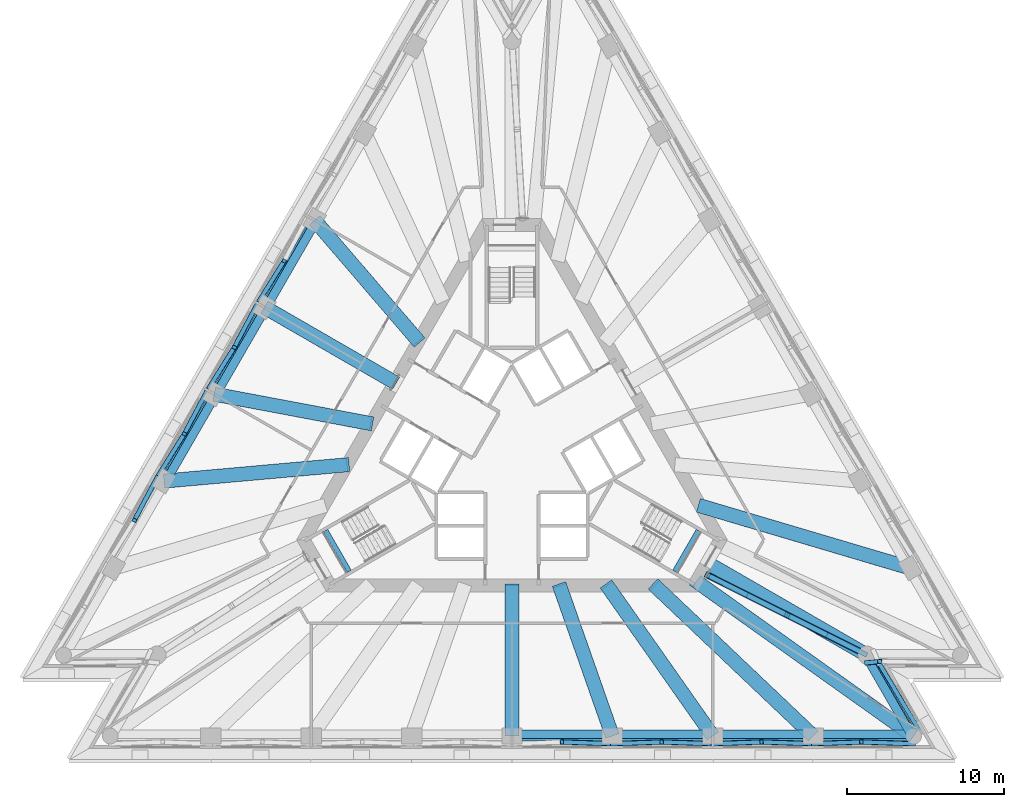
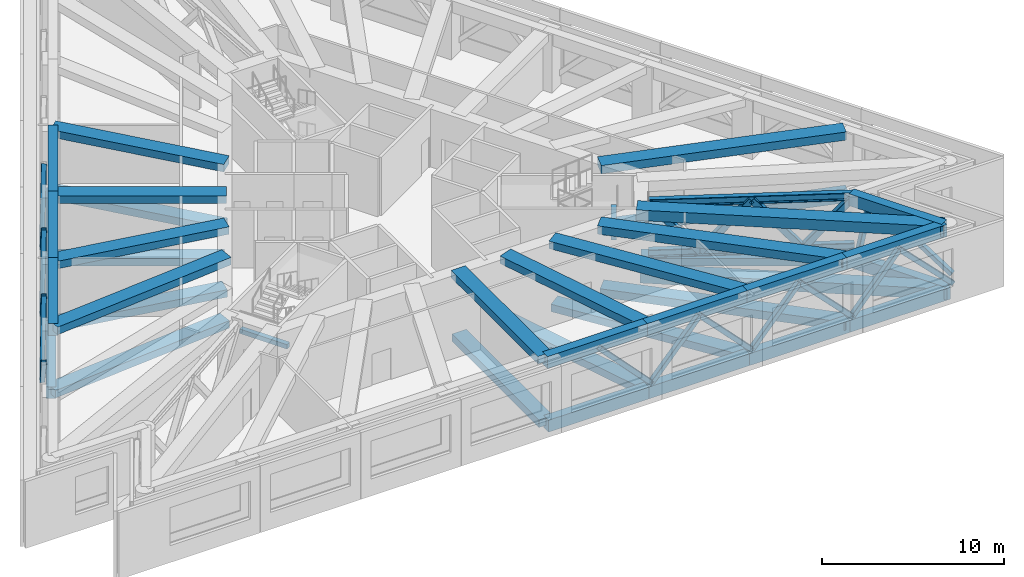
# One storey, part 2 of 13: 39 beams, 21 members.
"""IFC4 building model written with IfcOpenShell, lengths in metres."""

from ifc_helpers import new_model, si_unit, direction, frame, origin, origin_2d, place, context, subcontext, project, spatial, rectangle, hollow_rectangle, i_section, extrude, material, material_profile, profile_set, type_object, element, save


model = new_model("IFC4")

# Units and contexts
model_context = context("Model", 3, precision=1e-05, world=origin(), true_north=direction((0.0, 1.0)))
body_context = subcontext(model_context, "Body", "Model", "MODEL_VIEW")
ifc_project = project(units=[si_unit("LENGTHUNIT", "METRE"), si_unit("AREAUNIT", "SQUARE_METRE"), si_unit("VOLUMEUNIT", "CUBIC_METRE"), si_unit("PLANEANGLEUNIT", "RADIAN"), si_unit("MASSUNIT", "GRAM", prefix="KILO")], contexts=[model_context])

# Site, building, storey
site_placement = place(None, origin())
site = spatial("IfcSite", under=ifc_project, at=site_placement, CompositionType="ELEMENT")
building_placement = place(site_placement, origin())
building = spatial("IfcBuilding", under=site, at=building_placement, Name="Triada Interchange Tower", CompositionType="ELEMENT")
storey_placement = place(building_placement, frame((0.0, 0.0, 176.300048828125)))
storey = spatial("IfcBuildingStorey", under=building, at=storey_placement, Name="L41", CompositionType="ELEMENT", Elevation=176.300048828125)

# Members
ifc_material_1 = material(Name="Steel S355", Category="steel")
ifc_material_profile_1 = material_profile(ifc_material_1, hollow_rectangle(XDim=0.300048828125, YDim=0.300048828125, WallThickness=0.01611328125, InnerFilletRadius=0.01611328125, OuterFilletRadius=0.02392578125, at=origin_2d()), Name="RHS 300x300x16")
ifc_profile_set_1 = profile_set([ifc_material_profile_1], Name="Steel S355")
member_type_1 = type_object("IfcMemberType", Name="Belt truss diagonal RHS 300x300x16", PredefinedType="BRACE", material=ifc_profile_set_1)
member_1_placement = place(storey_placement, frame((-16.152099609375, 9.324951171875, 0.14990234375), z_axis=(0.3641515854, 0.583266917447, 0.72608079844), x_axis=(-0.84825327484, 0.529590768162, 0.0)))
element("IfcMember", 1, at=member_1_placement, inside=storey, type_object=member_type_1, Name="Belt truss diagonal 008 L41", PredefinedType="BRACE", context=body_context, shape_type="SweptSolid", body=[
    extrude(hollow_rectangle(XDim=0.300048828125, YDim=0.300048828125, WallThickness=0.01611328125, InnerFilletRadius=0.01611328125, OuterFilletRadius=0.02392578125, at=origin_2d()), origin(), (0.0, 0.0, 1.0), 4.614013671875),
])
member_2_placement = place(storey_placement, frame((-16.152099609375, 9.324951171875, 0.14990234375), z_axis=(-0.32282165539, -0.606845430243, 0.726309026933), x_axis=(0.882853368379, -0.469648730374, 0.0)))
element("IfcMember", 2, at=member_2_placement, inside=storey, type_object=member_type_1, Name="Belt truss diagonal 009 L41", PredefinedType="BRACE", context=body_context, shape_type="SweptSolid", body=[
    extrude(hollow_rectangle(XDim=0.300048828125, YDim=0.300048828125, WallThickness=0.01611328125, InnerFilletRadius=0.01611328125, OuterFilletRadius=0.02392578125, at=origin_2d()), origin(), (0.0, 0.0, 1.0), 4.612548828125),
])
member_3_placement = place(storey_placement, frame((-19.341064453125, 3.802001953125, 0.14990234375), z_axis=(0.366344166388, 0.587002996465, 0.721955285246), x_axis=(-0.848344134082, 0.529445209789, 0.0)))
element("IfcMember", 3, at=member_3_placement, inside=storey, type_object=member_type_1, Name="Belt truss diagonal 010 L41", PredefinedType="BRACE", context=body_context, shape_type="SweptSolid", body=[
    extrude(hollow_rectangle(XDim=0.300048828125, YDim=0.300048828125, WallThickness=0.01611328125, InnerFilletRadius=0.01611328125, OuterFilletRadius=0.02392578125, at=origin_2d()), origin(), (0.0, 0.0, 1.0), 4.640380859375),
])
member_4_placement = place(storey_placement, frame((-19.341064453125, 3.802001953125, 0.14990234375), z_axis=(-0.320504254674, -0.603107989612, 0.730436701982), x_axis=(0.883053146408, -0.469272991573, 0.0)))
element("IfcMember", 4, at=member_4_placement, inside=storey, type_object=member_type_1, Name="Belt truss diagonal 011 L41", PredefinedType="BRACE", context=body_context, shape_type="SweptSolid", body=[
    extrude(hollow_rectangle(XDim=0.300048828125, YDim=0.300048828125, WallThickness=0.01611328125, InnerFilletRadius=0.01611328125, OuterFilletRadius=0.02392578125, at=origin_2d()), origin(), (0.0, 0.0, 1.0), 4.58642578125),
])
member_5_placement = place(storey_placement, frame((-22.530029296875, -1.721923828125, 0.14990234375), z_axis=(0.368306446842, 0.59088050327, 0.717781716171), x_axis=(-0.848639220197, 0.528972091838, 0.0)))
element("IfcMember", 5, at=member_5_placement, inside=storey, type_object=member_type_1, Name="Belt truss diagonal 012 L41", PredefinedType="BRACE", context=body_context, shape_type="SweptSolid", body=[
    extrude(hollow_rectangle(XDim=0.300048828125, YDim=0.300048828125, WallThickness=0.01611328125, InnerFilletRadius=0.01611328125, OuterFilletRadius=0.02392578125, at=origin_2d()), origin(), (0.0, 0.0, 1.0), 4.667236328125),
])
member_6_placement = place(storey_placement, frame((-22.530029296875, -1.721923828125, 0.14990234375), z_axis=(-0.31818942032, -0.59916840027, 0.734678651462), x_axis=(0.883188257148, -0.469018658943, 0.0)))
element("IfcMember", 6, at=member_6_placement, inside=storey, type_object=member_type_1, Name="Belt truss diagonal 013 L41", PredefinedType="BRACE", context=body_context, shape_type="SweptSolid", body=[
    extrude(hollow_rectangle(XDim=0.300048828125, YDim=0.300048828125, WallThickness=0.01611328125, InnerFilletRadius=0.01611328125, OuterFilletRadius=0.02392578125, at=origin_2d()), origin(), (0.0, 0.0, 1.0), 4.56005859375),
])
member_7_placement = place(storey_placement, frame((6.3779296875, -18.65087890625, 0.14990234375), z_axis=(-0.691430158414, 0.023679115014, 0.722055147165), x_axis=(-0.03422651032, -0.999414101357, 0.0)))
element("IfcMember", 7, at=member_7_placement, inside=storey, type_object=member_type_1, Name="Belt truss diagonal 030 L41", PredefinedType="BRACE", context=body_context, shape_type="SweptSolid", body=[
    extrude(hollow_rectangle(XDim=0.300048828125, YDim=0.300048828125, WallThickness=0.01611328125, InnerFilletRadius=0.01611328125, OuterFilletRadius=0.02392578125, at=origin_2d()), origin(), (0.0, 0.0, 1.0), 4.6396484375),
])
member_8_placement = place(storey_placement, frame((6.3779296875, -18.65087890625, 0.14990234375), z_axis=(0.682628684295, 0.023951883659, 0.730372772389), x_axis=(-0.035066140133, 0.999384993792, 0.0)))
element("IfcMember", 8, at=member_8_placement, inside=storey, type_object=member_type_1, Name="Belt truss diagonal 031 L41", PredefinedType="BRACE", context=body_context, shape_type="SweptSolid", body=[
    extrude(hollow_rectangle(XDim=0.300048828125, YDim=0.300048828125, WallThickness=0.01611328125, InnerFilletRadius=0.01611328125, OuterFilletRadius=0.02392578125, at=origin_2d()), origin(), (0.0, 0.0, 1.0), 4.5869140625),
])
member_9_placement = place(storey_placement, frame((12.756103515625, -18.65087890625, 0.14990234375), z_axis=(-0.695786211157, 0.023541638723, 0.717863036804), x_axis=(-0.033815236512, -0.999428101356, 0.0)))
element("IfcMember", 9, at=member_9_placement, inside=storey, type_object=member_type_1, Name="Belt truss diagonal 032 L41", PredefinedType="BRACE", context=body_context, shape_type="SweptSolid", body=[
    extrude(hollow_rectangle(XDim=0.300048828125, YDim=0.300048828125, WallThickness=0.01611328125, InnerFilletRadius=0.01611328125, OuterFilletRadius=0.02392578125, at=origin_2d()), origin(), (0.0, 0.0, 1.0), 4.666748046875),
])
member_10_placement = place(storey_placement, frame((12.756103515625, -18.65087890625, 0.14990234375), z_axis=(0.678012063542, 0.024092342751, 0.734655838276), x_axis=(-0.035511384424, 0.999369271879, 0.0)))
element("IfcMember", 10, at=member_10_placement, inside=storey, type_object=member_type_1, Name="Belt truss diagonal 033 L41", PredefinedType="BRACE", context=body_context, shape_type="SweptSolid", body=[
    extrude(hollow_rectangle(XDim=0.300048828125, YDim=0.300048828125, WallThickness=0.01611328125, InnerFilletRadius=0.01611328125, OuterFilletRadius=0.02392578125, at=origin_2d()), origin(), (0.0, 0.0, 1.0), 4.56005859375),
])
member_11_placement = place(storey_placement, frame((19.135009765625, -18.65087890625, 0.14990234375), z_axis=(-0.700172876806, 0.023401499893, 0.713589736745), x_axis=(-0.033403808058, -0.999441937087, 0.0)))
element("IfcMember", 11, at=member_11_placement, inside=storey, type_object=member_type_1, Name="Belt truss diagonal 034 L41", PredefinedType="BRACE", context=body_context, shape_type="SweptSolid", body=[
    extrude(hollow_rectangle(XDim=0.300048828125, YDim=0.300048828125, WallThickness=0.01611328125, InnerFilletRadius=0.01611328125, OuterFilletRadius=0.02392578125, at=origin_2d()), origin(), (0.0, 0.0, 1.0), 4.69482421875),
])
member_12_placement = place(storey_placement, frame((19.135009765625, -18.65087890625, 0.14990234375), z_axis=(0.673372658136, 0.024231723004, 0.738906006793), x_axis=(-0.035962328334, 0.999353146261, 0.0)))
element("IfcMember", 12, at=member_12_placement, inside=storey, type_object=member_type_1, Name="Belt truss diagonal 035 L41", PredefinedType="BRACE", context=body_context, shape_type="SweptSolid", body=[
    extrude(hollow_rectangle(XDim=0.300048828125, YDim=0.300048828125, WallThickness=0.01611328125, InnerFilletRadius=0.01611328125, OuterFilletRadius=0.02392578125, at=origin_2d()), origin(), (0.0, 0.0, 1.0), 4.533935546875),
])
member_13_placement = place(storey_placement, frame((25.512939453125, -18.65087890625, 0.14990234375), z_axis=(-0.704247197935, 0.023269787728, 0.709573393793), x_axis=(-0.033024051015, -0.999454557273, 0.0)))
element("IfcMember", 13, at=member_13_placement, inside=storey, type_object=member_type_1, Name="Belt truss diagonal 036 L41", PredefinedType="BRACE", context=body_context, shape_type="SweptSolid", body=[
    extrude(hollow_rectangle(XDim=0.300048828125, YDim=0.300048828125, WallThickness=0.01611328125, InnerFilletRadius=0.01611328125, OuterFilletRadius=0.02392578125, at=origin_2d()), origin(), (0.0, 0.0, 1.0), 4.72119140625),
])
member_14_placement = place(storey_placement, frame((25.93701171875, -17.916015625, 0.14990234375), z_axis=(-0.429758774702, 0.718403917789, 0.546994704245), x_axis=(-0.858168637925, -0.51336788844, 0.0)))
element("IfcMember", 14, at=member_14_placement, inside=storey, type_object=member_type_1, Name="Belt truss diagonal 037 L41", PredefinedType="BRACE", context=body_context, shape_type="SweptSolid", body=[
    extrude(hollow_rectangle(XDim=0.300048828125, YDim=0.300048828125, WallThickness=0.01611328125, InnerFilletRadius=0.01611328125, OuterFilletRadius=0.02392578125, at=origin_2d()), origin(), (0.0, 0.0, 1.0), 6.12451171875),
])
member_15_placement = place(storey_placement, frame((22.5419921875, -13.5048828125, 0.14990234375), z_axis=(0.236568463179, 0.023430329537, 0.971332271618), x_axis=(-0.098560260005, 0.995131084404, 0.0)))
element("IfcMember", 15, at=member_15_placement, inside=storey, type_object=member_type_1, Name="Belt truss diagonal 039 L41", PredefinedType="BRACE", context=body_context, shape_type="SweptSolid", body=[
    extrude(hollow_rectangle(XDim=0.300048828125, YDim=0.300048828125, WallThickness=0.01611328125, InnerFilletRadius=0.01611328125, OuterFilletRadius=0.02392578125, at=origin_2d()), origin(), (0.0, 0.0, 1.0), 3.448974609375),
])

# Beams
ifc_material_2 = material(Name="Concrete C35/45", Category="concrete")
ifc_material_profile_2 = material_profile(ifc_material_2, rectangle(XDim=0.300048828125, YDim=0.300048828125, at=origin_2d()), Name="RC 300x300")
ifc_profile_set_2 = profile_set([ifc_material_profile_2], Name="Concrete C35/45")
beam_type_1 = type_object("IfcBeamType", Name="Landing support beam RC 300x300", PredefinedType="BEAM", material=ifc_profile_set_2)
for number, where, z_axis, x_axis, name in (
    (16, (-11.8349609375, -5.10107421875, 1.822265625), (0.50002537861, -0.866010750942, 0.0), (0.866010750942, 0.50002537861, 0.0), "Landing support beam S41-2 1"),
    (17, (10.3349609375, -7.698974609375, 1.822265625), (0.50002537861, 0.866010750942, 0.0), (-0.866010750942, 0.50002537861, 0.0), "Landing support beam S41-3 1"),
):
    element("IfcBeam", number, at=place(storey_placement, frame(where, z_axis=z_axis, x_axis=x_axis)), inside=storey, type_object=beam_type_1, Name=name, PredefinedType="BEAM", context=body_context, shape_type="SweptSolid", body=[
        extrude(rectangle(XDim=0.300048828125, YDim=0.300048828125, at=origin_2d()), origin(), (0.0, 0.0, 1.0), 2.999755859375),
    ])

# Members
ifc_material_3 = material(Name="Steel S460M", Category="steel")
ifc_material_profile_3 = material_profile(ifc_material_3, i_section(OverallWidth=0.305908203125, OverallDepth=0.52392578125, WebThickness=0.02099609375, FlangeThickness=0.0400390625, FilletRadius=0.027099609375, at=origin_2d()), Name="HEM 500")
ifc_profile_set_3 = profile_set([ifc_material_profile_3], Name="Steel S460M")
member_type_2 = type_object("IfcMemberType", Name="Outrigger chord HEM 500", PredefinedType="CHORD", material=ifc_profile_set_3)
for number, where, z_axis, x_axis, name in (
    (18, (12.4130859375, -7.93701171875, 0.261962890625), (0.893952648844, -0.448161423624, 0.0), (0.448161423624, 0.893952648844, 0.0), "Outrigger bottom chord SE L41"),
    (19, (12.4130859375, -7.93701171875, 3.637939453125), (0.893952648844, -0.448161423624, 0.0), (0.448161423624, 0.893952648844, 0.0), "Outrigger top chord SE L41"),
):
    element("IfcMember", number, at=place(storey_placement, frame(where, z_axis=z_axis, x_axis=x_axis)), inside=storey, type_object=member_type_2, Name=name, PredefinedType="CHORD", context=body_context, shape_type="SweptSolid", body=[
        extrude(i_section(OverallWidth=0.305908203125, OverallDepth=0.52392578125, WebThickness=0.02099609375, FlangeThickness=0.0400390625, FilletRadius=0.027099609375, at=origin_2d()), origin(), (0.0, 0.0, 1.0), 11.33056640625),
    ])
ifc_material_profile_4 = material_profile(ifc_material_1, hollow_rectangle(XDim=0.39990234375, YDim=0.39990234375, WallThickness=0.02001953125, InnerFilletRadius=0.02001953125, OuterFilletRadius=0.030029296875, at=origin_2d()), Name="RHS 400x400x20")
ifc_profile_set_4 = profile_set([ifc_material_profile_4], Name="Steel S355")
member_type_3 = type_object("IfcMemberType", Name="Outrigger diagonal RHS 400x400x20", PredefinedType="BRACE", material=ifc_profile_set_4)
member_16_placement = place(storey_placement, frame((12.4130859375, -7.93701171875, 3.637939453125), z_axis=(0.574581281351, -0.287983174281, -0.766108375135), x_axis=(0.448075402817, 0.893995768106, 0.0)))
element("IfcMember", 20, at=member_16_placement, inside=storey, type_object=member_type_3, Name="Outrigger diagonal SE 1 L41", PredefinedType="BRACE", context=body_context, shape_type="SweptSolid", body=[
    extrude(hollow_rectangle(XDim=0.39990234375, YDim=0.39990234375, WallThickness=0.02001953125, InnerFilletRadius=0.02001953125, OuterFilletRadius=0.030029296875, at=origin_2d()), origin(), (0.0, 0.0, 1.0), 4.40673828125),
])
member_17_placement = place(storey_placement, frame((14.945068359375, -9.2060546875, 0.261962890625), z_axis=(0.574544600881, -0.288186386441, 0.766059467841), x_axis=(0.448350917715, 0.893857625455, 0.0)))
element("IfcMember", 21, at=member_17_placement, inside=storey, type_object=member_type_3, Name="Outrigger diagonal SE 2 L41", PredefinedType="BRACE", context=body_context, shape_type="SweptSolid", body=[
    extrude(hollow_rectangle(XDim=0.39990234375, YDim=0.39990234375, WallThickness=0.02001953125, InnerFilletRadius=0.02001953125, OuterFilletRadius=0.030029296875, at=origin_2d()), origin(), (0.0, 0.0, 1.0), 4.406982421875),
])
member_18_placement = place(storey_placement, frame((17.47705078125, -10.47607421875, 3.637939453125), z_axis=(0.574729700371, -0.28794650434, -0.766010823781), x_axis=(0.447937318505, 0.89406496335, 0.0)))
element("IfcMember", 22, at=member_18_placement, inside=storey, type_object=member_type_3, Name="Outrigger diagonal SE 3 L41", PredefinedType="BRACE", context=body_context, shape_type="SweptSolid", body=[
    extrude(hollow_rectangle(XDim=0.39990234375, YDim=0.39990234375, WallThickness=0.02001953125, InnerFilletRadius=0.02001953125, OuterFilletRadius=0.030029296875, at=origin_2d()), origin(), (0.0, 0.0, 1.0), 4.4072265625),
])
member_19_placement = place(storey_placement, frame((20.010009765625, -11.7451171875, 0.261962890625), z_axis=(0.574553772985, -0.28813558705, 0.766071697313), x_axis=(0.448282050965, 0.893892165075, 0.0)))
element("IfcMember", 23, at=member_19_placement, inside=storey, type_object=member_type_3, Name="Outrigger diagonal SE 4 L41", PredefinedType="BRACE", context=body_context, shape_type="SweptSolid", body=[
    extrude(hollow_rectangle(XDim=0.39990234375, YDim=0.39990234375, WallThickness=0.02001953125, InnerFilletRadius=0.02001953125, OuterFilletRadius=0.030029296875, at=origin_2d()), origin(), (0.0, 0.0, 1.0), 4.406982421875),
])

# Beams
ifc_material_4 = material(Name="Concrete C50/60", Category="concrete")
ifc_material_profile_5 = material_profile(ifc_material_4, rectangle(XDim=0.89990234375, YDim=0.5, at=origin_2d()), Name="RC 900x500")
ifc_profile_set_5 = profile_set([ifc_material_profile_5], Name="Concrete C50/60")
beam_type_2 = type_object("IfcBeamType", Name="Radial band beam B RC 900x500", PredefinedType="BEAM", material=ifc_profile_set_5)
beam_1_placement = place(storey_placement, frame((-12.5380859375, 14.60400390625, -0.550048828125), z_axis=(0.651437974834, -0.758701894649, 0.0), x_axis=(0.758701894649, 0.651437974834, 0.0)))
element("IfcBeam", 24, at=beam_1_placement, inside=storey, type_object=beam_type_2, Name="Radial band beam BB04 L41", PredefinedType="BEAM", context=body_context, shape_type="SweptSolid", body=[
    extrude(rectangle(XDim=0.89990234375, YDim=0.5, at=origin_2d()), origin(), (0.0, 0.0, 1.0), 10.133056640625),
])
beam_2_placement = place(storey_placement, frame((-15.72802734375, 9.080078125, -0.550048828125), z_axis=(0.866045686382, -0.499964867866, 0.0), x_axis=(0.499964867866, 0.866045686382, 0.0)))
element("IfcBeam", 25, at=beam_2_placement, inside=storey, type_object=beam_type_2, Name="Radial band beam BB05 L41", PredefinedType="BEAM", context=body_context, shape_type="SweptSolid", body=[
    extrude(rectangle(XDim=0.89990234375, YDim=0.5, at=origin_2d()), origin(), (0.0, 0.0, 1.0), 9.560791015625),
])
beam_3_placement = place(storey_placement, frame((-18.9169921875, 3.556884765625, -0.550048828125), z_axis=(0.982773859869, -0.184812175894, 0.0), x_axis=(0.184812175894, 0.982773859869, 0.0)))
element("IfcBeam", 26, at=beam_3_placement, inside=storey, type_object=beam_type_2, Name="Radial band beam BB06 L41", PredefinedType="BEAM", context=body_context, shape_type="SweptSolid", body=[
    extrude(rectangle(XDim=0.89990234375, YDim=0.5, at=origin_2d()), origin(), (0.0, 0.0, 1.0), 10.133544921875),
])
beam_4_placement = place(storey_placement, frame((-22.10595703125, -1.967041015625, -0.550048828125), z_axis=(0.996060181685, 0.088679842478, 0.0), x_axis=(-0.088679842478, 0.996060181685, 0.0)))
element("IfcBeam", 27, at=beam_4_placement, inside=storey, type_object=beam_type_2, Name="Radial band beam BB07 L41", PredefinedType="BEAM", context=body_context, shape_type="SweptSolid", body=[
    extrude(rectangle(XDim=0.89990234375, YDim=0.5, at=origin_2d()), origin(), (0.0, 0.0, 1.0), 11.68408203125),
])
beam_5_placement = place(storey_placement, frame((0.0, -18.160888671875, -0.550048828125), z_axis=(0.0, 1.0, 0.0), x_axis=(-1.0, 0.0, 0.0)))
element("IfcBeam", 28, at=beam_5_placement, inside=storey, type_object=beam_type_2, Name="Radial band beam BB15 L41", PredefinedType="BEAM", context=body_context, shape_type="SweptSolid", body=[
    extrude(rectangle(XDim=0.89990234375, YDim=0.5, at=origin_2d()), origin(), (0.0, 0.0, 1.0), 9.560791015625),
])
beam_6_placement = place(storey_placement, frame((6.3779296875, -18.160888671875, -0.550048828125), z_axis=(-0.331372969314, 0.943499843777, 0.0), x_axis=(-0.943499843777, -0.331372969314, 0.0)))
element("IfcBeam", 29, at=beam_6_placement, inside=storey, type_object=beam_type_2, Name="Radial band beam BB16 L41", PredefinedType="BEAM", context=body_context, shape_type="SweptSolid", body=[
    extrude(rectangle(XDim=0.89990234375, YDim=0.5, at=origin_2d()), origin(), (0.0, 0.0, 1.0), 10.13330078125),
])
beam_7_placement = place(storey_placement, frame((12.756103515625, -18.160888671875, -0.550048828125), z_axis=(-0.574756084693, 0.818324778501, 0.0), x_axis=(-0.818324778501, -0.574756084693, 0.0)))
element("IfcBeam", 30, at=beam_7_placement, inside=storey, type_object=beam_type_2, Name="Radial band beam BB17 L41", PredefinedType="BEAM", context=body_context, shape_type="SweptSolid", body=[
    extrude(rectangle(XDim=0.89990234375, YDim=0.5, at=origin_2d()), origin(), (0.0, 0.0, 1.0), 11.683349609375),
])
beam_8_placement = place(storey_placement, frame((22.5419921875, -13.014892578125, -0.550048828125), z_axis=(-0.866014702245, 0.500018535151, 0.0), x_axis=(-0.500018535151, -0.866014702245, 0.0)))
element("IfcBeam", 31, at=beam_8_placement, inside=storey, type_object=beam_type_2, Name="Radial band beam BB20 L41", PredefinedType="BEAM", context=body_context, shape_type="SweptSolid", body=[
    extrude(rectangle(XDim=0.89990234375, YDim=0.5, at=origin_2d()), origin(), (0.0, 0.0, 1.0), 11.7294921875),
])
beam_9_placement = place(storey_placement, frame((-12.462890625, 14.514892578125, 3.64990234375), z_axis=(0.651428735541, -0.75870982761, 0.0), x_axis=(0.75870982761, 0.651428735541, 0.0)))
element("IfcBeam", 32, at=beam_9_placement, inside=storey, type_object=beam_type_2, Name="Radial band beam BB04 L42", PredefinedType="BEAM", context=body_context, shape_type="SweptSolid", body=[
    extrude(rectangle(XDim=0.89990234375, YDim=0.5, at=origin_2d()), origin(), (0.0, 0.0, 1.0), 10.122314453125),
])
beam_10_placement = place(storey_placement, frame((-15.632080078125, 9.02587890625, 3.64990234375), z_axis=(0.865997425216, -0.500048457172, 0.0), x_axis=(0.500048457172, 0.865997425216, 0.0)))
element("IfcBeam", 33, at=beam_10_placement, inside=storey, type_object=beam_type_2, Name="Radial band beam BB05 L42", PredefinedType="BEAM", context=body_context, shape_type="SweptSolid", body=[
    extrude(rectangle(XDim=0.89990234375, YDim=0.5, at=origin_2d()), origin(), (0.0, 0.0, 1.0), 9.55078125),
])
beam_11_placement = place(storey_placement, frame((-18.802001953125, 3.535888671875, 3.64990234375), z_axis=(0.982771834531, -0.184822945689, 0.0), x_axis=(0.184822945689, 0.982771834531, 0.0)))
element("IfcBeam", 34, at=beam_11_placement, inside=storey, type_object=beam_type_2, Name="Radial band beam BB06 L42", PredefinedType="BEAM", context=body_context, shape_type="SweptSolid", body=[
    extrude(rectangle(XDim=0.89990234375, YDim=0.5, at=origin_2d()), origin(), (0.0, 0.0, 1.0), 10.122314453125),
])
beam_12_placement = place(storey_placement, frame((-21.971923828125, -1.9541015625, 3.64990234375), z_axis=(0.996066899496, 0.088604355024, 0.0), x_axis=(-0.088604355024, 0.996066899496, 0.0)))
element("IfcBeam", 35, at=beam_12_placement, inside=storey, type_object=beam_type_2, Name="Radial band beam BB07 L42", PredefinedType="BEAM", context=body_context, shape_type="SweptSolid", body=[
    extrude(rectangle(XDim=0.89990234375, YDim=0.5, at=origin_2d()), origin(), (0.0, 0.0, 1.0), 11.671875),
])
beam_13_placement = place(storey_placement, frame((0.0, -18.051025390625, 3.64990234375), z_axis=(0.0, 1.0, 0.0), x_axis=(-1.0, 0.0, 0.0)))
element("IfcBeam", 36, at=beam_13_placement, inside=storey, type_object=beam_type_2, Name="Radial band beam BB15 L42", PredefinedType="BEAM", context=body_context, shape_type="SweptSolid", body=[
    extrude(rectangle(XDim=0.89990234375, YDim=0.5, at=origin_2d()), origin(), (0.0, 0.0, 1.0), 9.551025390625),
])
beam_14_placement = place(storey_placement, frame((6.339111328125, -18.051025390625, 3.64990234375), z_axis=(-0.331331074889, 0.943514556757, 0.0), x_axis=(-0.943514556757, -0.331331074889, 0.0)))
element("IfcBeam", 37, at=beam_14_placement, inside=storey, type_object=beam_type_2, Name="Radial band beam BB16 L42", PredefinedType="BEAM", context=body_context, shape_type="SweptSolid", body=[
    extrude(rectangle(XDim=0.89990234375, YDim=0.5, at=origin_2d()), origin(), (0.0, 0.0, 1.0), 10.122802734375),
])
beam_15_placement = place(storey_placement, frame((12.677978515625, -18.051025390625, 3.64990234375), z_axis=(-0.574743397387, 0.818333689371, 0.0), x_axis=(-0.818333689371, -0.574743397387, 0.0)))
element("IfcBeam", 38, at=beam_15_placement, inside=storey, type_object=beam_type_2, Name="Radial band beam BB17 L42", PredefinedType="BEAM", context=body_context, shape_type="SweptSolid", body=[
    extrude(rectangle(XDim=0.89990234375, YDim=0.5, at=origin_2d()), origin(), (0.0, 0.0, 1.0), 11.67138671875),
])
ifc_material_profile_6 = material_profile(ifc_material_4, rectangle(XDim=0.89990234375, YDim=0.550048828125, at=origin_2d()), Name="RC 900x550")
ifc_profile_set_6 = profile_set([ifc_material_profile_6], Name="Concrete C50/60")
beam_type_3 = type_object("IfcBeamType", Name="Radial band beam B RC 900x550", PredefinedType="BEAM", material=ifc_profile_set_6)
for number, where, z_axis, x_axis, name in (
    (39, (19.135009765625, -18.160888671875, -0.574951171875), (-0.725340357785, 0.688390416383, 0.0), (-0.688390416383, -0.725340357785, 0.0), "Radial band beam BB18 L41"),
    (40, (25.294921875, -7.490966796875, -0.574951171875), (-0.958835345118, 0.283962640066, 0.0), (-0.283962640066, -0.958835345118, 0.0), "Radial band beam BB22 L41"),
):
    element("IfcBeam", number, at=place(storey_placement, frame(where, z_axis=z_axis, x_axis=x_axis)), inside=storey, type_object=beam_type_3, Name=name, PredefinedType="BEAM", context=body_context, shape_type="SweptSolid", body=[
        extrude(rectangle(XDim=0.89990234375, YDim=0.550048828125, at=origin_2d()), origin(), (0.0, 0.0, 1.0), 13.888671875),
    ])
beam_16_placement = place(storey_placement, frame((19.01806640625, -18.051025390625, 3.625), z_axis=(-0.725316566669, 0.68841548364, 0.0), x_axis=(-0.68841548364, -0.725316566669, 0.0)))
element("IfcBeam", 41, at=beam_16_placement, inside=storey, type_object=beam_type_3, Name="Radial band beam BB18 L42", PredefinedType="BEAM", context=body_context, shape_type="SweptSolid", body=[
    extrude(rectangle(XDim=0.89990234375, YDim=0.550048828125, at=origin_2d()), origin(), (0.0, 0.0, 1.0), 13.8740234375),
])
beam_17_placement = place(storey_placement, frame((25.14111328125, -7.444091796875, 3.625), z_axis=(-0.958839823279, 0.283947518557, 0.0), x_axis=(-0.283947518557, -0.958839823279, 0.0)))
element("IfcBeam", 42, at=beam_17_placement, inside=storey, type_object=beam_type_3, Name="Radial band beam BB22 L42", PredefinedType="BEAM", context=body_context, shape_type="SweptSolid", body=[
    extrude(rectangle(XDim=0.89990234375, YDim=0.550048828125, at=origin_2d()), origin(), (0.0, 0.0, 1.0), 13.873046875),
])
ifc_material_profile_7 = material_profile(ifc_material_4, rectangle(XDim=0.89990234375, YDim=0.699951171875, at=origin_2d()), Name="RC 900x700")
ifc_profile_set_7 = profile_set([ifc_material_profile_7], Name="Concrete C50/60")
beam_type_4 = type_object("IfcBeamType", Name="Radial band beam B RC 900x700", PredefinedType="BEAM", material=ifc_profile_set_7)
beam_18_placement = place(storey_placement, frame((25.512939453125, -18.160888671875, -0.650146484375), z_axis=(-0.814667579529, 0.579928215269, 0.0), x_axis=(-0.579928215269, -0.814667579529, 0.0)))
element("IfcBeam", 43, at=beam_18_placement, inside=storey, type_object=beam_type_4, Name="Radial band beam BB19 L41", PredefinedType="BEAM", context=body_context, shape_type="SweptSolid", body=[
    extrude(rectangle(XDim=0.89990234375, YDim=0.699951171875, at=origin_2d()), origin(), (0.0, 0.0, 1.0), 16.95166015625),
])
beam_19_placement = place(storey_placement, frame((25.35693359375, -18.051025390625, 3.550048828125), z_axis=(-0.814674365044, 0.579918683041, 0.0), x_axis=(-0.579918683041, -0.814674365044, 0.0)))
element("IfcBeam", 44, at=beam_19_placement, inside=storey, type_object=beam_type_4, Name="Radial band beam BB19 L42", PredefinedType="BEAM", context=body_context, shape_type="SweptSolid", body=[
    extrude(rectangle(XDim=0.89990234375, YDim=0.699951171875, at=origin_2d()), origin(), (0.0, 0.0, 1.0), 16.987060546875),
])
ifc_material_profile_8 = material_profile(ifc_material_4, rectangle(XDim=0.550048828125, YDim=0.800048828125, at=origin_2d()), Name="RC 550x800")
ifc_profile_set_8 = profile_set([ifc_material_profile_8], Name="Concrete C50/60")
beam_type_5 = type_object("IfcBeamType", Name="Spandrel beam B RC 550x800", PredefinedType="BEAM", material=ifc_profile_set_8)
beam_20_placement = place(storey_placement, frame((-12.5380859375, 14.60400390625, -0.699951171875), z_axis=(-0.500082462234, -0.865977788957, 0.0), x_axis=(0.865977788957, -0.500082462234, 0.0)))
element("IfcBeam", 45, at=beam_20_placement, inside=storey, type_object=beam_type_5, Name="Spandrel beam EB04 L41", PredefinedType="BEAM", context=body_context, shape_type="SweptSolid", body=[
    extrude(rectangle(XDim=0.550048828125, YDim=0.800048828125, at=origin_2d()), origin(), (0.0, 0.0, 1.0), 6.37890625),
])
beam_21_placement = place(storey_placement, frame((-15.72802734375, 9.080078125, -0.699951171875), z_axis=(-0.500017365573, -0.866015377534, 0.0), x_axis=(0.866015377534, -0.500017365573, 0.0)))
element("IfcBeam", 46, at=beam_21_placement, inside=storey, type_object=beam_type_5, Name="Spandrel beam EB05 L41", PredefinedType="BEAM", context=body_context, shape_type="SweptSolid", body=[
    extrude(rectangle(XDim=0.550048828125, YDim=0.800048828125, at=origin_2d()), origin(), (0.0, 0.0, 1.0), 6.377685546875),
])
beam_22_placement = place(storey_placement, frame((-18.9169921875, 3.556884765625, -0.699951171875), z_axis=(-0.499967640965, -0.866044085476, 0.0), x_axis=(0.866044085476, -0.499967640965, 0.0)))
element("IfcBeam", 47, at=beam_22_placement, inside=storey, type_object=beam_type_5, Name="Spandrel beam EB06 L41", PredefinedType="BEAM", context=body_context, shape_type="SweptSolid", body=[
    extrude(rectangle(XDim=0.550048828125, YDim=0.800048828125, at=origin_2d()), origin(), (0.0, 0.0, 1.0), 6.37841796875),
])
beam_23_placement = place(storey_placement, frame((0.0, -18.160888671875, -0.699951171875), z_axis=(1.0, 0.0, 0.0), x_axis=(0.0, 1.0, 0.0)))
element("IfcBeam", 48, at=beam_23_placement, inside=storey, type_object=beam_type_5, Name="Spandrel beam EB15 L41", PredefinedType="BEAM", context=body_context, shape_type="SweptSolid", body=[
    extrude(rectangle(XDim=0.550048828125, YDim=0.800048828125, at=origin_2d()), origin(), (0.0, 0.0, 1.0), 6.3779296875),
])
beam_24_placement = place(storey_placement, frame((6.3779296875, -18.160888671875, -0.699951171875), z_axis=(1.0, 0.0, 0.0), x_axis=(0.0, 1.0, 0.0)))
element("IfcBeam", 49, at=beam_24_placement, inside=storey, type_object=beam_type_5, Name="Spandrel beam EB16 L41", PredefinedType="BEAM", context=body_context, shape_type="SweptSolid", body=[
    extrude(rectangle(XDim=0.550048828125, YDim=0.800048828125, at=origin_2d()), origin(), (0.0, 0.0, 1.0), 6.378173828125),
])
beam_25_placement = place(storey_placement, frame((12.756103515625, -18.160888671875, -0.699951171875), z_axis=(1.0, 0.0, 0.0), x_axis=(0.0, 1.0, 0.0)))
element("IfcBeam", 50, at=beam_25_placement, inside=storey, type_object=beam_type_5, Name="Spandrel beam EB17 L41", PredefinedType="BEAM", context=body_context, shape_type="SweptSolid", body=[
    extrude(rectangle(XDim=0.550048828125, YDim=0.800048828125, at=origin_2d()), origin(), (0.0, 0.0, 1.0), 6.37890625),
])
beam_26_placement = place(storey_placement, frame((19.135009765625, -18.160888671875, -0.699951171875), z_axis=(1.0, 0.0, 0.0), x_axis=(0.0, 1.0, 0.0)))
element("IfcBeam", 51, at=beam_26_placement, inside=storey, type_object=beam_type_5, Name="Spandrel beam EB18 L41", PredefinedType="BEAM", context=body_context, shape_type="SweptSolid", body=[
    extrude(rectangle(XDim=0.550048828125, YDim=0.800048828125, at=origin_2d()), origin(), (0.0, 0.0, 1.0), 6.3779296875),
])
beam_27_placement = place(storey_placement, frame((25.512939453125, -18.160888671875, -0.699951171875), z_axis=(-0.499988013614, 0.866032324017, 0.0), x_axis=(-0.866032324017, -0.499988013614, 0.0)))
element("IfcBeam", 52, at=beam_27_placement, inside=storey, type_object=beam_type_5, Name="Spandrel beam EB19 L41", PredefinedType="BEAM", context=body_context, shape_type="SweptSolid", body=[
    extrude(rectangle(XDim=0.550048828125, YDim=0.800048828125, at=origin_2d()), origin(), (0.0, 0.0, 1.0), 5.942138671875),
])
beam_28_placement = place(storey_placement, frame((-12.462890625, 14.514892578125, 3.5), z_axis=(-0.500012534865, -0.866018166656, 0.0), x_axis=(0.866018166656, -0.500012534865, 0.0)))
element("IfcBeam", 53, at=beam_28_placement, inside=storey, type_object=beam_type_5, Name="Spandrel beam EB04 L42", PredefinedType="BEAM", context=body_context, shape_type="SweptSolid", body=[
    extrude(rectangle(XDim=0.550048828125, YDim=0.800048828125, at=origin_2d()), origin(), (0.0, 0.0, 1.0), 6.338134765625),
])
for number, where, z_axis, x_axis, name in (
    (54, (-15.632080078125, 9.02587890625, 3.5), (-0.500032479136, -0.866006651134, 0.0), (0.866006651134, -0.500032479136, 0.0), "Spandrel beam EB05 L42"),
    (55, (-18.802001953125, 3.535888671875, 3.5), (-0.500032479136, -0.866006651134, 0.0), (0.866006651134, -0.500032479136, 0.0), "Spandrel beam EB06 L42"),
):
    element("IfcBeam", number, at=place(storey_placement, frame(where, z_axis=z_axis, x_axis=x_axis)), inside=storey, type_object=beam_type_5, Name=name, PredefinedType="BEAM", context=body_context, shape_type="SweptSolid", body=[
        extrude(rectangle(XDim=0.550048828125, YDim=0.800048828125, at=origin_2d()), origin(), (0.0, 0.0, 1.0), 6.33935546875),
    ])
beam_29_placement = place(storey_placement, frame((0.0, -18.051025390625, 3.5), z_axis=(1.0, 0.0, 0.0), x_axis=(0.0, 1.0, 0.0)))
element("IfcBeam", 56, at=beam_29_placement, inside=storey, type_object=beam_type_5, Name="Spandrel beam EB15 L42", PredefinedType="BEAM", context=body_context, shape_type="SweptSolid", body=[
    extrude(rectangle(XDim=0.550048828125, YDim=0.800048828125, at=origin_2d()), origin(), (0.0, 0.0, 1.0), 6.339111328125),
])
beam_30_placement = place(storey_placement, frame((6.339111328125, -18.051025390625, 3.5), z_axis=(1.0, 0.0, 0.0), x_axis=(0.0, 1.0, 0.0)))
element("IfcBeam", 57, at=beam_30_placement, inside=storey, type_object=beam_type_5, Name="Spandrel beam EB16 L42", PredefinedType="BEAM", context=body_context, shape_type="SweptSolid", body=[
    extrude(rectangle(XDim=0.550048828125, YDim=0.800048828125, at=origin_2d()), origin(), (0.0, 0.0, 1.0), 6.3388671875),
])
beam_31_placement = place(storey_placement, frame((12.677978515625, -18.051025390625, 3.5), z_axis=(1.0, 0.0, 0.0), x_axis=(0.0, 1.0, 0.0)))
element("IfcBeam", 58, at=beam_31_placement, inside=storey, type_object=beam_type_5, Name="Spandrel beam EB17 L42", PredefinedType="BEAM", context=body_context, shape_type="SweptSolid", body=[
    extrude(rectangle(XDim=0.550048828125, YDim=0.800048828125, at=origin_2d()), origin(), (0.0, 0.0, 1.0), 6.340087890625),
])
beam_32_placement = place(storey_placement, frame((19.01806640625, -18.051025390625, 3.5), z_axis=(1.0, 0.0, 0.0), x_axis=(0.0, 1.0, 0.0)))
element("IfcBeam", 59, at=beam_32_placement, inside=storey, type_object=beam_type_5, Name="Spandrel beam EB18 L42", PredefinedType="BEAM", context=body_context, shape_type="SweptSolid", body=[
    extrude(rectangle(XDim=0.550048828125, YDim=0.800048828125, at=origin_2d()), origin(), (0.0, 0.0, 1.0), 6.3388671875),
])
beam_33_placement = place(storey_placement, frame((25.35693359375, -18.051025390625, 3.5), z_axis=(-0.499947801097, 0.866055538738, 0.0), x_axis=(-0.866055538738, -0.499947801097, 0.0)))
element("IfcBeam", 60, at=beam_33_placement, inside=storey, type_object=beam_type_5, Name="Spandrel beam EB19 L42", PredefinedType="BEAM", context=body_context, shape_type="SweptSolid", body=[
    extrude(rectangle(XDim=0.550048828125, YDim=0.800048828125, at=origin_2d()), origin(), (0.0, 0.0, 1.0), 5.908447265625),
])

save(model, "model.ifc")
